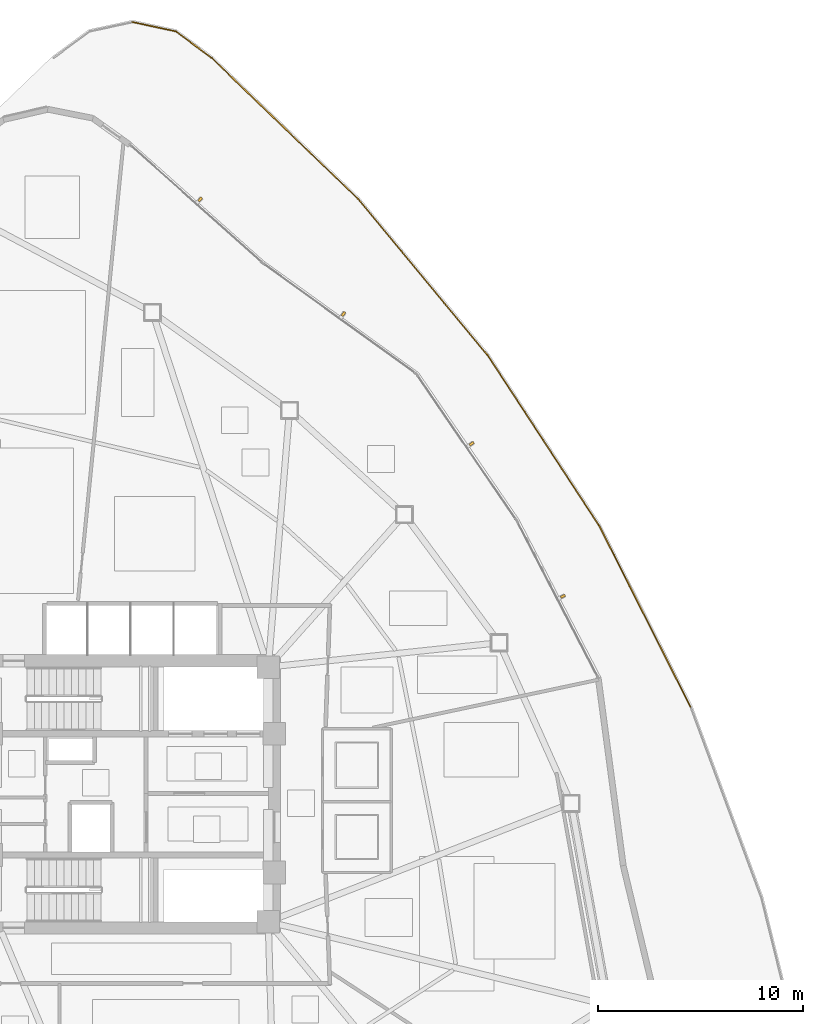
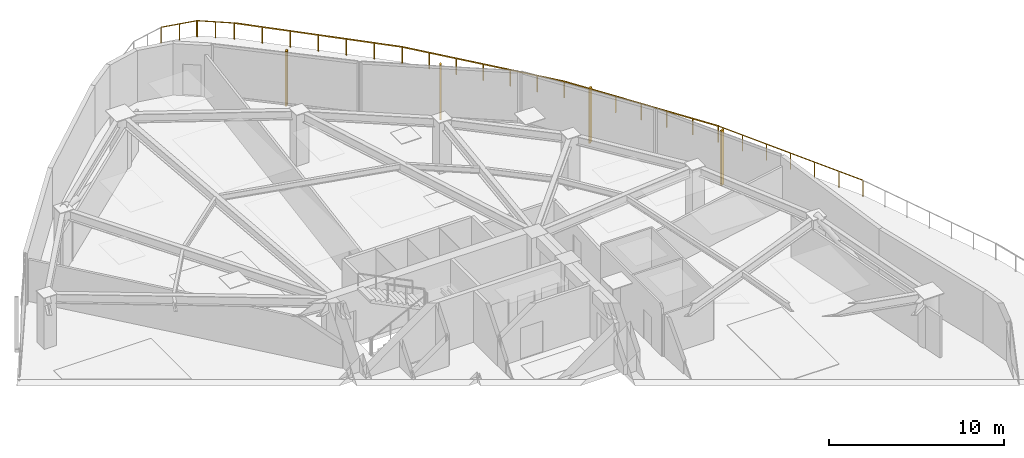
# One storey, part 18 of 19: 6 railings, 4 shading devices.
"""IFC4 building model written with IfcOpenShell, lengths in metres."""

from ifc_helpers import new_model, si_unit, direction, frame, origin, origin_2d, place, context, subcontext, project, spatial, rectangle, extrude, source, transform, mapped, material, type_object, type_shapes, element, save


model = new_model("IFC4")

# Units and contexts
model_context = context("Model", 3, precision=1e-05, world=origin(), true_north=direction((0.0, 1.0)))
body_context = subcontext(model_context, "Body", "Model", "MODEL_VIEW")
ifc_project = project(units=[si_unit("LENGTHUNIT", "METRE"), si_unit("AREAUNIT", "SQUARE_METRE"), si_unit("VOLUMEUNIT", "CUBIC_METRE"), si_unit("PLANEANGLEUNIT", "RADIAN"), si_unit("MASSUNIT", "GRAM", prefix="KILO")], contexts=[model_context])

# Site, building, storey
site_placement = place(None, origin())
site = spatial("IfcSite", under=ifc_project, at=site_placement, CompositionType="ELEMENT")
building_placement = place(site_placement, origin())
building = spatial("IfcBuilding", under=site, at=building_placement, Name="Tavelor Broadcast Tower", CompositionType="ELEMENT")
storey_placement = place(building_placement, frame((0.0, 0.0, 27.60009765625)))
storey = spatial("IfcBuildingStorey", under=building, at=storey_placement, Name="L05", CompositionType="ELEMENT", Elevation=27.60009765625)

# Railings
ifc_material_1 = material(Name="Steel S355", Category="steel")
railing_type = type_object("IfcRailingType", Name="Planted Terrace Laminated Glass Balustrade 1150 mm", PredefinedType="BALUSTRADE", material=ifc_material_1)
railing_1_placement = place(storey_placement, frame((77.156982421875, 49.265380859375, 0.0)))
element("IfcRailing", 1, at=railing_1_placement, inside=storey, type_object=railing_type, Name="L05 Cascading Garden Terrace 1 Balustrade #133", PredefinedType="BALUSTRADE", context=body_context, shape_type="SweptSolid", body=[
    extrude(rectangle(XDim=0.048095703125, YDim=0.048095703125, at=origin_2d()), frame((0.0, 0.0, 1.1259765625), z_axis=(-0.450631217833, 0.892710202425, 0.0), x_axis=(-0.892710202425, -0.450631217833, 0.0)), (0.0, 0.0, 1.0), 9.90576171875),
    extrude(rectangle(XDim=0.0419921875, YDim=0.0419921875, at=origin_2d()), origin(), (0.0, 0.0, 1.0), 1.101806640625),
    extrude(rectangle(XDim=0.0419921875, YDim=0.0419921875, at=origin_2d()), frame((-0.743896484375, 1.473876953125, 0.0)), (0.0, 0.0, 1.0), 1.101806640625),
    extrude(rectangle(XDim=0.0419921875, YDim=0.0419921875, at=origin_2d()), frame((-1.488037109375, 2.94775390625, 0.0)), (0.0, 0.0, 1.0), 1.101806640625),
    extrude(rectangle(XDim=0.0419921875, YDim=0.0419921875, at=origin_2d()), frame((-2.23193359375, 4.42138671875, 0.0)), (0.0, 0.0, 1.0), 1.101806640625),
    extrude(rectangle(XDim=0.0419921875, YDim=0.0419921875, at=origin_2d()), frame((-2.975830078125, 5.895263671875, 0.0)), (0.0, 0.0, 1.0), 1.101806640625),
    extrude(rectangle(XDim=0.0419921875, YDim=0.0419921875, at=origin_2d()), frame((-3.719970703125, 7.369140625, 0.0)), (0.0, 0.0, 1.0), 1.101806640625),
    extrude(rectangle(XDim=0.0419921875, YDim=0.0419921875, at=origin_2d()), frame((-4.4638671875, 8.843017578125, 0.0)), (0.0, 0.0, 1.0), 1.101806640625),
])
railing_2_placement = place(storey_placement, frame((72.69873046875, 58.0986328125, 0.0)))
element("IfcRailing", 2, at=railing_2_placement, inside=storey, type_object=railing_type, Name="L05 Cascading Garden Terrace 1 Balustrade #134", PredefinedType="BALUSTRADE", context=body_context, shape_type="SweptSolid", body=[
    extrude(rectangle(XDim=0.048095703125, YDim=0.048095703125, at=origin_2d()), frame((0.0, 0.0, 1.1259765625), z_axis=(-0.547799084936, 0.836609922571, 0.0), x_axis=(-0.836609922571, -0.547799084936, 0.0)), (0.0, 0.0, 1.0), 9.905517578125),
    extrude(rectangle(XDim=0.0419921875, YDim=0.0419921875, at=origin_2d()), origin(), (0.0, 0.0, 1.0), 1.101806640625),
    extrude(rectangle(XDim=0.0419921875, YDim=0.0419921875, at=origin_2d()), frame((-0.904296875, 1.381103515625, 0.0)), (0.0, 0.0, 1.0), 1.101806640625),
    extrude(rectangle(XDim=0.0419921875, YDim=0.0419921875, at=origin_2d()), frame((-1.808837890625, 2.762451171875, 0.0)), (0.0, 0.0, 1.0), 1.101806640625),
    extrude(rectangle(XDim=0.0419921875, YDim=0.0419921875, at=origin_2d()), frame((-2.713134765625, 4.1435546875, 0.0)), (0.0, 0.0, 1.0), 1.101806640625),
    extrude(rectangle(XDim=0.0419921875, YDim=0.0419921875, at=origin_2d()), frame((-3.617431640625, 5.524658203125, 0.0)), (0.0, 0.0, 1.0), 1.101806640625),
    extrude(rectangle(XDim=0.0419921875, YDim=0.0419921875, at=origin_2d()), frame((-4.52197265625, 6.906005859375, 0.0)), (0.0, 0.0, 1.0), 1.101806640625),
    extrude(rectangle(XDim=0.0419921875, YDim=0.0419921875, at=origin_2d()), frame((-5.42626953125, 8.287109375, 0.0)), (0.0, 0.0, 1.0), 1.101806640625),
])
railing_3_placement = place(storey_placement, frame((67.279296875, 66.376708984375, 0.0)))
element("IfcRailing", 3, at=railing_3_placement, inside=storey, type_object=railing_type, Name="L05 Cascading Garden Terrace 1 Balustrade #135", PredefinedType="BALUSTRADE", context=body_context, shape_type="SweptSolid", body=[
    extrude(rectangle(XDim=0.048095703125, YDim=0.048095703125, at=origin_2d()), frame((0.0, 0.0, 1.1259765625), z_axis=(-0.638070472455, 0.769977968634, 0.0), x_axis=(-0.769977968634, -0.638070472455, 0.0)), (0.0, 0.0, 1.0), 9.90576171875),
    extrude(rectangle(XDim=0.0419921875, YDim=0.0419921875, at=origin_2d()), origin(), (0.0, 0.0, 1.0), 1.101806640625),
    extrude(rectangle(XDim=0.0419921875, YDim=0.0419921875, at=origin_2d()), frame((-1.053466796875, 1.271240234375, 0.0)), (0.0, 0.0, 1.0), 1.101806640625),
    extrude(rectangle(XDim=0.0419921875, YDim=0.0419921875, at=origin_2d()), frame((-2.10693359375, 2.54248046875, 0.0)), (0.0, 0.0, 1.0), 1.101806640625),
    extrude(rectangle(XDim=0.0419921875, YDim=0.0419921875, at=origin_2d()), frame((-3.16015625, 3.8134765625, 0.0)), (0.0, 0.0, 1.0), 1.101806640625),
    extrude(rectangle(XDim=0.0419921875, YDim=0.0419921875, at=origin_2d()), frame((-4.213623046875, 5.084716796875, 0.0)), (0.0, 0.0, 1.0), 1.101806640625),
    extrude(rectangle(XDim=0.0419921875, YDim=0.0419921875, at=origin_2d()), frame((-5.26708984375, 6.35595703125, 0.0)), (0.0, 0.0, 1.0), 1.101806640625),
    extrude(rectangle(XDim=0.0419921875, YDim=0.0419921875, at=origin_2d()), frame((-6.320556640625, 7.627197265625, 0.0)), (0.0, 0.0, 1.0), 1.101806640625),
])
railing_4_placement = place(storey_placement, frame((60.96630859375, 73.995849609375, 0.0)))
element("IfcRailing", 4, at=railing_4_placement, inside=storey, type_object=railing_type, Name="L05 Cascading Garden Terrace 1 Balustrade #136", PredefinedType="BALUSTRADE", context=body_context, shape_type="SweptSolid", body=[
    extrude(rectangle(XDim=0.048095703125, YDim=0.048095703125, at=origin_2d()), frame((0.0, 0.0, 1.1259765625), z_axis=(-0.720315196315, 0.693646897173, 0.0), x_axis=(-0.693646897173, -0.720315196315, 0.0)), (0.0, 0.0, 1.0), 9.905517578125),
    extrude(rectangle(XDim=0.0419921875, YDim=0.0419921875, at=origin_2d()), origin(), (0.0, 0.0, 1.0), 1.101806640625),
    extrude(rectangle(XDim=0.0419921875, YDim=0.0419921875, at=origin_2d()), frame((-1.189208984375, 1.14501953125, 0.0)), (0.0, 0.0, 1.0), 1.101806640625),
    extrude(rectangle(XDim=0.0419921875, YDim=0.0419921875, at=origin_2d()), frame((-2.37841796875, 2.290283203125, 0.0)), (0.0, 0.0, 1.0), 1.101806640625),
    extrude(rectangle(XDim=0.0419921875, YDim=0.0419921875, at=origin_2d()), frame((-3.5673828125, 3.435546875, 0.0)), (0.0, 0.0, 1.0), 1.101806640625),
    extrude(rectangle(XDim=0.0419921875, YDim=0.0419921875, at=origin_2d()), frame((-4.756591796875, 4.58056640625, 0.0)), (0.0, 0.0, 1.0), 1.101806640625),
    extrude(rectangle(XDim=0.0419921875, YDim=0.0419921875, at=origin_2d()), frame((-5.94580078125, 5.7255859375, 0.0)), (0.0, 0.0, 1.0), 1.101806640625),
    extrude(rectangle(XDim=0.0419921875, YDim=0.0419921875, at=origin_2d()), frame((-7.135009765625, 6.870849609375, 0.0)), (0.0, 0.0, 1.0), 1.101806640625),
])
railing_5_placement = place(storey_placement, frame((53.84130859375, 80.8583984375, 0.0)))
element("IfcRailing", 5, at=railing_5_placement, inside=storey, type_object=railing_type, Name="L05 Cascading Garden Terrace 1 Balustrade #137", PredefinedType="BALUSTRADE", context=body_context, shape_type="SweptSolid", body=[
    extrude(rectangle(XDim=0.048095703125, YDim=0.048095703125, at=origin_2d()), frame((0.0, 0.0, 1.1259765625), z_axis=(-0.804368485154, 0.594130743263, 0.0), x_axis=(-0.594130743263, -0.804368485154, 0.0)), (0.0, 0.0, 1.0), 2.18896484375),
    extrude(rectangle(XDim=0.0419921875, YDim=0.0419921875, at=origin_2d()), origin(), (0.0, 0.0, 1.0), 1.101806640625),
    extrude(rectangle(XDim=0.0419921875, YDim=0.0419921875, at=origin_2d()), frame((-0.88037109375, 0.650390625, 0.0)), (0.0, 0.0, 1.0), 1.101806640625),
    extrude(rectangle(XDim=0.0419921875, YDim=0.0419921875, at=origin_2d()), frame((-1.7607421875, 1.300537109375, 0.0)), (0.0, 0.0, 1.0), 1.101806640625),
])
railing_6_placement = place(storey_placement, frame((52.118896484375, 82.1416015625, 0.0)))
element("IfcRailing", 6, at=railing_6_placement, inside=storey, type_object=railing_type, Name="L05 Cascading Garden Terrace 1 Balustrade #138", PredefinedType="BALUSTRADE", context=body_context, shape_type="SweptSolid", body=[
    extrude(rectangle(XDim=0.048095703125, YDim=0.048095703125, at=origin_2d()), frame((0.0, 0.0, 1.1259765625), z_axis=(-0.977601202862, 0.210465883605, 0.0), x_axis=(-0.210465883605, -0.977601202862, 0.0)), (0.0, 0.0, 1.0), 2.18896484375),
    extrude(rectangle(XDim=0.0419921875, YDim=0.0419921875, at=origin_2d()), origin(), (0.0, 0.0, 1.0), 1.101806640625),
    extrude(rectangle(XDim=0.0419921875, YDim=0.0419921875, at=origin_2d()), frame((-1.06982421875, 0.23046875, 0.0)), (0.0, 0.0, 1.0), 1.101806640625),
    extrude(rectangle(XDim=0.0419921875, YDim=0.0419921875, at=origin_2d()), frame((-2.139892578125, 0.460693359375, 0.0)), (0.0, 0.0, 1.0), 1.101806640625),
])

# Shading devices
ifc_material_2 = material(Name="Kiln-Fired Glazed Terracotta", Category="masonry")
shading_device_type = type_object("IfcShadingDeviceType", Name="Extruded Terracotta Baguette Sun-Screen 110x240", PredefinedType="JALOUSIE", material=ifc_material_2)
shared_shape = source(origin(), body_context, "Body", "SweptSolid", [
    extrude(rectangle(XDim=0.110107421875, YDim=0.239990234375, at=origin_2d()), origin(), (0.0, 0.0, 1.0), 3.840087890625),
])
type_shapes(shading_device_type, [shared_shape])
for number, where, z_axis, x_axis, name in (
    (7, (70.945068359375, 54.646240234375, -0.26025390625), (0.0, 0.0, 1.0), (-0.460509662773, 0.887654691022, 0.0), "L05 Terracotta Baguette Fin 21"),
    (8, (66.5, 62.0732421875, -0.26025390625), (0.0, 0.0, 1.0), (-0.564678950066, 0.825310658693, 0.0), "L05 Terracotta Baguette Fin 22"),
    (9, (60.261474609375, 68.392822265625, -0.26025390625), (0.0, 0.0, 1.0), (-0.81116590101, 0.584816108738, 0.0), "L05 Terracotta Baguette Fin 23"),
    (10, (53.287841796875, 73.97119140625, -0.26025390625), (0.0, 0.0, 1.0), (-0.746405927603, 0.665490940013, 0.0), "L05 Terracotta Baguette Fin 24"),
):
    element("IfcShadingDevice", number, at=place(storey_placement, frame(where, z_axis=z_axis, x_axis=x_axis)), inside=storey, type_object=shading_device_type, Name=name, PredefinedType="JALOUSIE", context=body_context, shape_type="MappedRepresentation", body=[
        mapped(shared_shape, transform((0.0, 0.0, 0.0), scale=1.0)),
    ])

save(model, "model.ifc")
